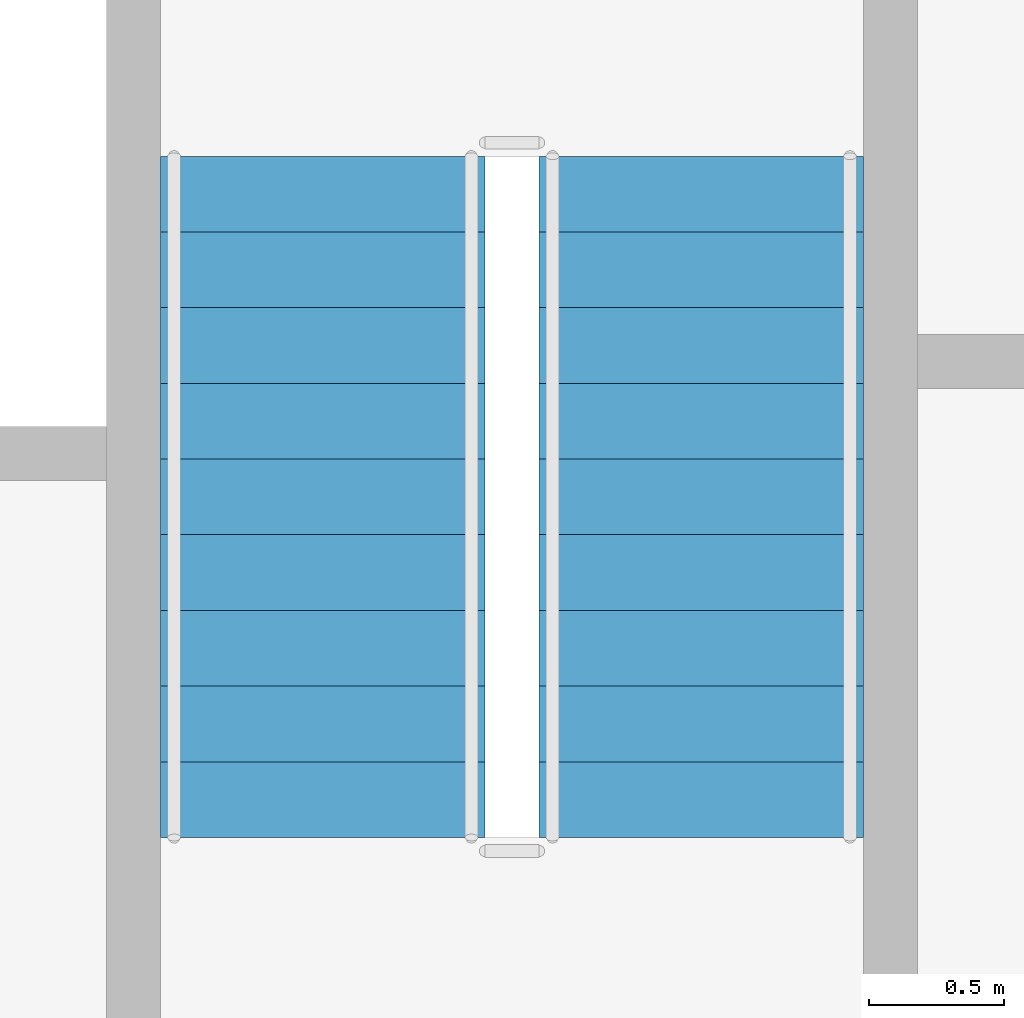
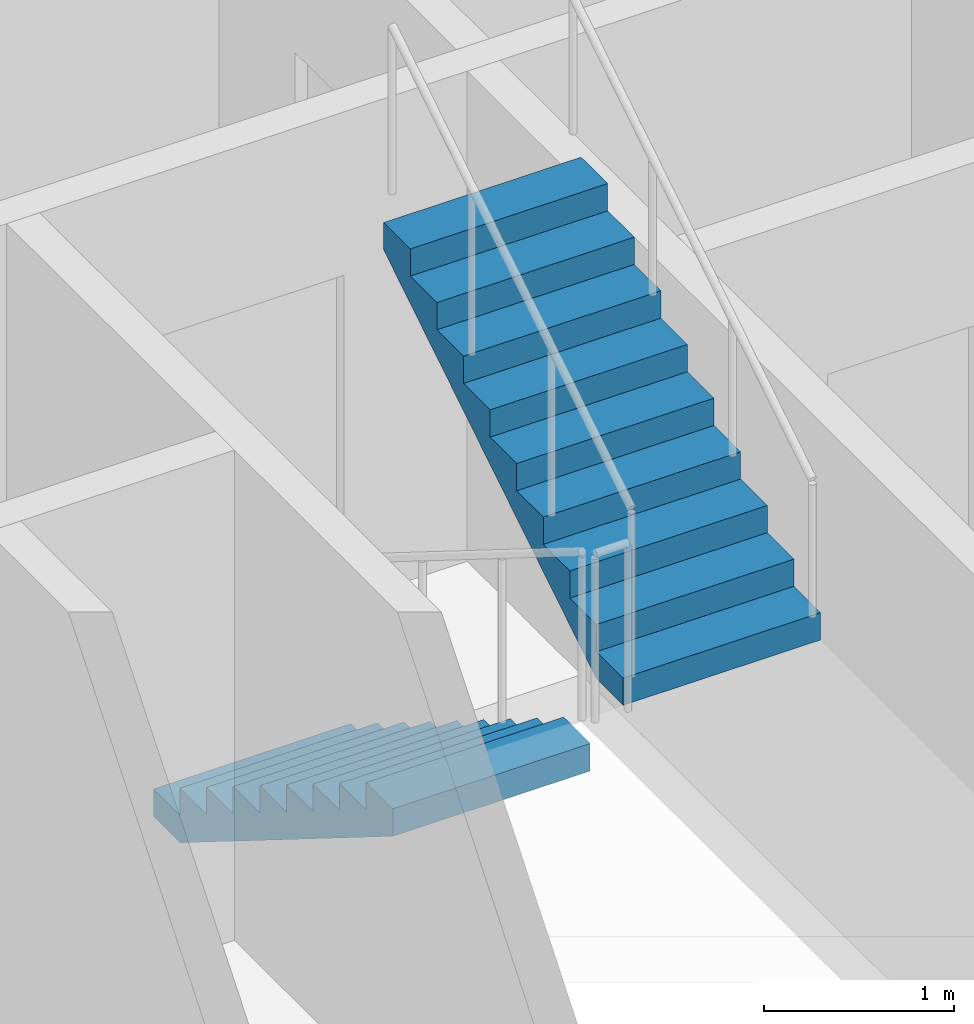
# One storey, part 11 of 18: 2 stair flights, 1 element without a shape of its own.
"""IFC4 building model written with IfcOpenShell, lengths in metres."""

from ifc_helpers import new_model, si_unit, direction, frame, origin, place, context, subcontext, project, spatial, polyline, outline, extrude, material, type_object, element, aggregate, save


model = new_model("IFC4")

# Units and contexts
model_context = context("Model", 3, precision=1e-05, world=origin(), true_north=direction((0.0, 1.0)))
body_context = subcontext(model_context, "Body", "Model", "MODEL_VIEW")
ifc_project = project(units=[si_unit("LENGTHUNIT", "METRE"), si_unit("AREAUNIT", "SQUARE_METRE"), si_unit("VOLUMEUNIT", "CUBIC_METRE"), si_unit("PLANEANGLEUNIT", "RADIAN"), si_unit("MASSUNIT", "GRAM", prefix="KILO")], contexts=[model_context])

# Site, building, storey
site_placement = place(None, origin())
site = spatial("IfcSite", under=ifc_project, at=site_placement, CompositionType="ELEMENT")
building_placement = place(site_placement, origin())
building = spatial("IfcBuilding", under=site, at=building_placement, Name="Kiln Ring Residences", CompositionType="ELEMENT")
storey_placement = place(building_placement, frame((0.0, 0.0, 69.0)))
storey = spatial("IfcBuildingStorey", under=building, at=storey_placement, Name="L17", CompositionType="ELEMENT", Elevation=69.0)

# Stair, stair flights
ifc_material_1 = material(Name="Concrete C40/50", Category="concrete")
stair_type = type_object("IfcStairType", Name="CORE-STAIR", PredefinedType="HALF_TURN_STAIR", material=ifc_material_1)
stair_placement = place(storey_placement, origin())
stair = element("IfcStair", 1, at=stair_placement, inside=storey, type_object=stair_type, Name="L17 stair E-STN", PredefinedType="HALF_TURN_STAIR")
ifc_material_2 = material(Name="Concrete C40/50", Category="concrete")
stair_flight_type = type_object("IfcStairFlightType", Name="CORE-STAIR-FLIGHT", PredefinedType="STRAIGHT", material=ifc_material_2)
stair_flight_1_placement = place(storey_placement, frame((21.39990234375, 8.39990234375, 0.0), z_axis=(0.0, 0.0, 1.0), x_axis=(0.0, -1.0, 0.0)))
stair_flight_1 = element("IfcStairFlight", 2, at=stair_flight_1_placement, type_object=stair_flight_type, Name="E-STN flight 1", NumberOfRisers=10, NumberOfTreads=9, PredefinedType="STRAIGHT", RiserHeight=0.175, TreadLength=0.28, context=body_context, shape_type="SweptSolid", body=[
    extrude(outline(polyline([(0.0, 0.0), (0.0, 0.175048828125), (0.280029296875, 0.175048828125), (0.280029296875, 0.35009765625), (0.56005859375, 0.35009765625), (0.56005859375, 0.52490234375), (0.840087890625, 0.52490234375), (0.840087890625, 0.699951171875), (1.1201171875, 0.699951171875), (1.1201171875, 0.875), (1.39990234375, 0.875), (1.39990234375, 1.050048828125), (1.679931640625, 1.050048828125), (1.679931640625, 1.22509765625), (1.9599609375, 1.22509765625), (1.9599609375, 1.39990234375), (2.239990234375, 1.39990234375), (2.239990234375, 1.574951171875), (2.52001953125, 1.574951171875), (2.52001953125, 1.75), (2.52001953125, 1.398193359375), (0.28271484375, 0.0), (0.0, 0.0)])), frame((0.0, 0.60009765625, 0.0), z_axis=(0.0, -1.0, 0.0), x_axis=(1.0, 0.0, 0.0)), (0.0, 0.0, 1.0), 1.199951171875),
])
stair_flight_2_placement = place(storey_placement, frame((22.800048828125, 5.8798828125, 1.75), z_axis=(0.0, 0.0, 1.0), x_axis=(0.0, 1.0, 0.0)))
stair_flight_2 = element("IfcStairFlight", 3, at=stair_flight_2_placement, type_object=stair_flight_type, Name="E-STN flight 2", NumberOfRisers=10, NumberOfTreads=9, PredefinedType="STRAIGHT", RiserHeight=0.175, TreadLength=0.28, context=body_context, shape_type="SweptSolid", body=[
    extrude(outline(polyline([(0.0, 0.0), (0.0, 0.175048828125), (0.280029296875, 0.175048828125), (0.280029296875, 0.35009765625), (0.56005859375, 0.35009765625), (0.56005859375, 0.52490234375), (0.840087890625, 0.52490234375), (0.840087890625, 0.699951171875), (1.1201171875, 0.699951171875), (1.1201171875, 0.875), (1.39990234375, 0.875), (1.39990234375, 1.050048828125), (1.679931640625, 1.050048828125), (1.679931640625, 1.22509765625), (1.9599609375, 1.22509765625), (1.9599609375, 1.39990234375), (2.239990234375, 1.39990234375), (2.239990234375, 1.574951171875), (2.52001953125, 1.574951171875), (2.52001953125, 1.75), (2.52001953125, 1.398193359375), (0.28271484375, 0.0), (0.0, 0.0)])), frame((0.0, 0.60009765625, 0.0), z_axis=(0.0, -1.0, 0.0), x_axis=(1.0, 0.0, 0.0)), (0.0, 0.0, 1.0), 1.199951171875),
])
aggregate(stair, [stair_flight_1, stair_flight_2])

save(model, "model.ifc")
